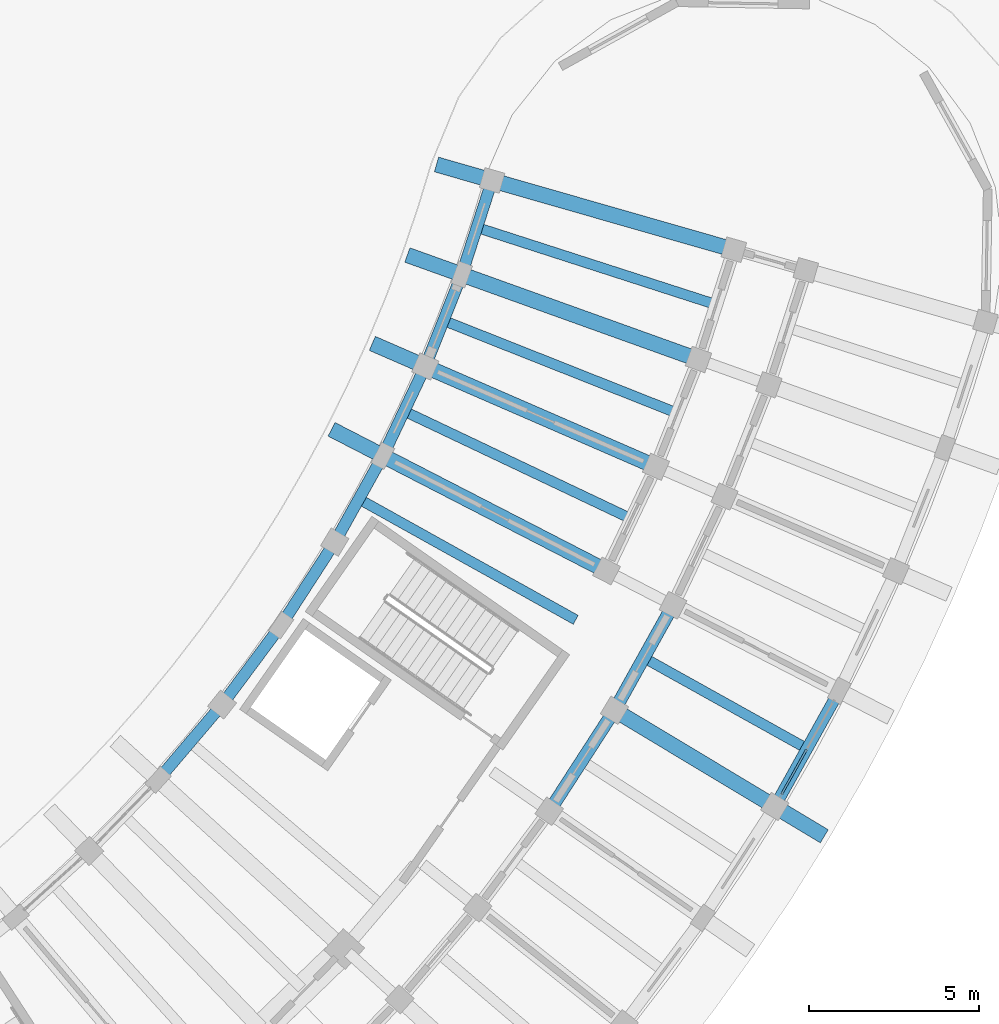
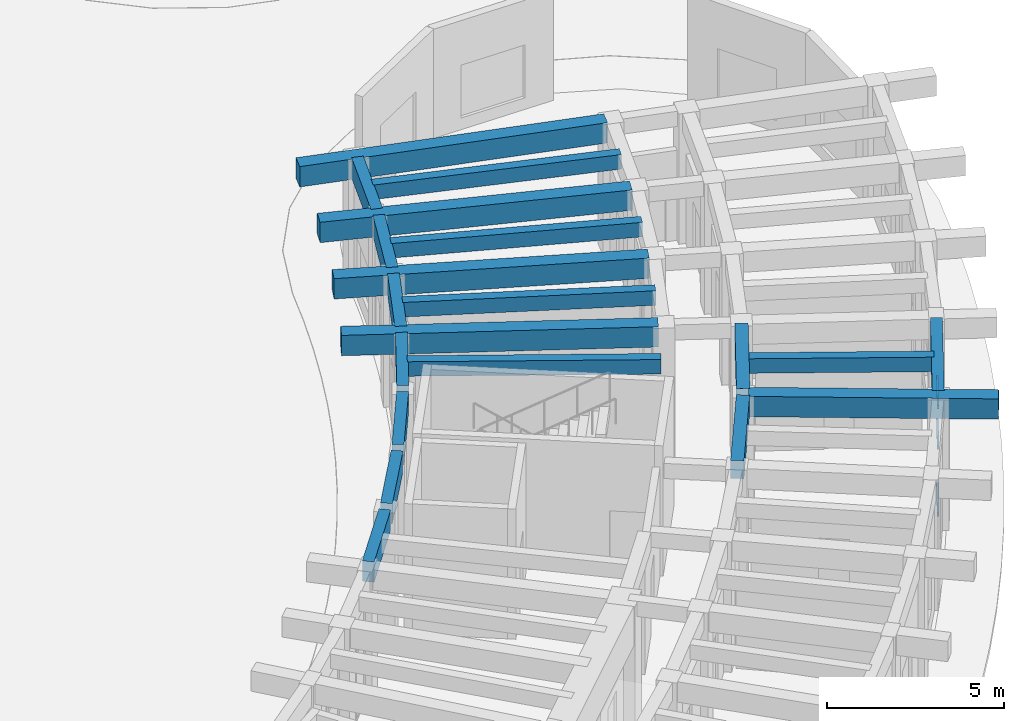
# One storey, part 60 of 132: 20 beams, 3 members, 1 element without a shape of its own.
"""IFC4 building model written with IfcOpenShell, lengths in metres."""

from ifc_helpers import new_model, si_unit, direction, frame, origin, origin_2d, place, context, subcontext, project, spatial, rectangle, hollow_rectangle, extrude, material, material_profile, profile_set, type_object, element, aggregate, save


model = new_model("IFC4")

# Units and contexts
model_context = context("Model", 3, precision=1e-05, world=origin(), true_north=direction((0.0, 1.0)))
body_context = subcontext(model_context, "Body", "Model", "MODEL_VIEW")
ifc_project = project(units=[si_unit("LENGTHUNIT", "METRE"), si_unit("AREAUNIT", "SQUARE_METRE"), si_unit("VOLUMEUNIT", "CUBIC_METRE"), si_unit("PLANEANGLEUNIT", "RADIAN"), si_unit("MASSUNIT", "GRAM", prefix="KILO")], contexts=[model_context])

# Site, building, storey
site_placement = place(None, origin())
site = spatial("IfcSite", under=ifc_project, at=site_placement, CompositionType="ELEMENT")
building_placement = place(site_placement, origin())
building = spatial("IfcBuilding", under=site, at=building_placement, Name="Tanwirah Colonnade Gardens", CompositionType="ELEMENT")
storey_placement = place(building_placement, origin())
storey = spatial("IfcBuildingStorey", under=building, at=storey_placement, Name="L00", CompositionType="ELEMENT", Elevation=0.0)

# Beams
ifc_material_1 = material(Name="Precast concrete C40/50", Category="concrete")
ifc_material_profile_1 = material_profile(ifc_material_1, rectangle(XDim=0.3798828125, YDim=0.6201171875, at=origin_2d()), Name="PC-BM 380x620")
ifc_profile_set_1 = profile_set([ifc_material_profile_1], Name="Precast concrete C40/50")
beam_type_1 = type_object("IfcBeamType", Name="BM-PC380", PredefinedType="BEAM", material=ifc_profile_set_1)
for number, where, z_axis, x_axis, name in (
    (1, (165.491455078125, 33.817626953125, 4.175048828125), (0.542825891173, 0.839845254718, 0.0), (-0.839845254718, 0.542825891173, 0.0), "Block D L00 Circumferential Beam 11-R2"),
    (2, (167.40283203125, 36.793212890625, 4.175048828125), (0.486712025227, 0.873562478875, 0.0), (-0.873562478875, 0.486712025227, 0.0), "Block D L00 Circumferential Beam 12-R2"),
):
    element("IfcBeam", number, at=place(storey_placement, frame(where, z_axis=z_axis, x_axis=x_axis)), inside=storey, type_object=beam_type_1, Name=name, PredefinedType="BEAM", context=body_context, shape_type="SweptSolid", body=[
        extrude(rectangle(XDim=0.3798828125, YDim=0.6201171875, at=origin_2d()), origin(), (0.0, 0.0, 1.0), 3.23681640625),
    ])
ifc_material_2 = material(Name="Precast concrete C45/55", Category="concrete")
ifc_material_profile_2 = material_profile(ifc_material_2, rectangle(XDim=0.449951171875, YDim=0.699951171875, at=origin_2d()), Name="PC-BM 450x700")
ifc_profile_set_2 = profile_set([ifc_material_profile_2], Name="Precast concrete C45/55")
beam_type_2 = type_object("IfcBeamType", Name="BM-PC450", PredefinedType="BEAM", material=ifc_profile_set_2)
beam_1_placement = place(storey_placement, frame((167.45849609375, 36.5849609375, 4.135009765625), z_axis=(0.857159687729, -0.515050744812, 0.0), x_axis=(0.515050744812, 0.857159687729, 0.0)))
element("IfcBeam", 3, at=beam_1_placement, inside=storey, type_object=beam_type_2, Name="Block D L00 Outer Radial Precast Girder 12", PredefinedType="BEAM", context=body_context, shape_type="SweptSolid", body=[
    extrude(rectangle(XDim=0.449951171875, YDim=0.699951171875, at=origin_2d()), origin(), (0.0, 0.0, 1.0), 7.050048828125),
])
for number, where, z_axis, x_axis, name in (
    (4, (166.962158203125, 40.827880859375, 4.135009765625), (-0.889022337846, 0.457863825619, 0.0), (-0.457863825619, -0.889022337846, 0.0), "Block D L00 Inner Radial Precast Girder 13"),
    (5, (168.412109375, 43.884765625, 4.135009765625), (-0.917069622575, 0.398727108872, 0.0), (-0.398727108872, -0.917069622575, 0.0), "Block D L00 Inner Radial Precast Girder 14"),
):
    element("IfcBeam", number, at=place(storey_placement, frame(where, z_axis=z_axis, x_axis=x_axis)), inside=storey, type_object=beam_type_2, Name=name, PredefinedType="BEAM", context=body_context, shape_type="SweptSolid", body=[
        extrude(rectangle(XDim=0.449951171875, YDim=0.699951171875, at=origin_2d()), origin(), (0.0, 0.0, 1.0), 8.949951171875),
    ])
beam_2_placement = place(storey_placement, frame((169.65869140625, 47.02978515625, 4.135009765625), z_axis=(-0.941180212187, 0.337905028356, 0.0), x_axis=(-0.337905028356, -0.941180212187, 0.0)))
element("IfcBeam", 6, at=beam_2_placement, inside=storey, type_object=beam_type_2, Name="Block D L00 Inner Radial Precast Girder 15", PredefinedType="BEAM", context=body_context, shape_type="SweptSolid", body=[
    extrude(rectangle(XDim=0.449951171875, YDim=0.699951171875, at=origin_2d()), origin(), (0.0, 0.0, 1.0), 8.94970703125),
])
beam_3_placement = place(storey_placement, frame((170.697265625, 50.24951171875, 4.135009765625), z_axis=(-0.961258954076, 0.275646917646, 0.0), x_axis=(-0.275646917646, -0.961258954076, 0.0)))
element("IfcBeam", 7, at=beam_3_placement, inside=storey, type_object=beam_type_2, Name="Block D L00 Inner Radial Precast Girder 16", PredefinedType="BEAM", context=body_context, shape_type="SweptSolid", body=[
    extrude(rectangle(XDim=0.449951171875, YDim=0.699951171875, at=origin_2d()), origin(), (0.0, 0.0, 1.0), 8.949951171875),
])

# Curtain wall, members
ifc_material_3 = material(Name="Bronze-anodised aluminium and solar-control low-E glass", Category="aluminium")
curtain_wall_type = type_object("IfcCurtainWallType", Name="CW-LOB", PredefinedType="NOTDEFINED", material=ifc_material_3)
curtain_wall_placement = place(storey_placement, origin())
curtain_wall = element("IfcCurtainWall", 8, at=curtain_wall_placement, inside=storey, type_object=curtain_wall_type, Name="Curtain Wall CW-D-L00-OUT-12", PredefinedType="NOTDEFINED")
ifc_material_4 = material(Name="Bronze-anodised aluminium", Category="aluminium")
ifc_material_profile_3 = material_profile(ifc_material_4, hollow_rectangle(XDim=0.06005859375, YDim=0.1201171875, WallThickness=0.00390625, at=origin_2d()), Name="CW-TRN 60x120x4")
ifc_profile_set_3 = profile_set([ifc_material_profile_3], Name="Bronze-anodised aluminium")
member_type = type_object("IfcMemberType", Name="CWT-60x120", PredefinedType="USERDEFINED", material=ifc_profile_set_3)
member_1_placement = place(storey_placement, frame((172.248779296875, 34.1962890625, 0.030029296875), z_axis=(0.486652425295, 0.87359568277, 0.0), x_axis=(-0.87359568277, 0.486652425295, 0.0)))
member_1 = element("IfcMember", 9, at=member_1_placement, type_object=member_type, Name="CW-LOB transom 1.1", ObjectType="TRANSOM", PredefinedType="USERDEFINED", context=body_context, shape_type="SweptSolid", body=[
    extrude(hollow_rectangle(XDim=0.06005859375, YDim=0.1201171875, WallThickness=0.00390625, at=origin_2d()), origin(), (0.0, 0.0, 1.0), 1.49853515625),
])
member_2_placement = place(storey_placement, frame((172.248779296875, 34.1962890625, 2.328125), z_axis=(0.486652425295, 0.87359568277, 0.0), x_axis=(-0.87359568277, 0.486652425295, 0.0)))
member_2 = element("IfcMember", 10, at=member_2_placement, type_object=member_type, Name="CW-LOB transom 1.2", ObjectType="TRANSOM", PredefinedType="USERDEFINED", context=body_context, shape_type="SweptSolid", body=[
    extrude(hollow_rectangle(XDim=0.06005859375, YDim=0.1201171875, WallThickness=0.00390625, at=origin_2d()), origin(), (0.0, 0.0, 1.0), 1.49853515625),
])
member_3_placement = place(storey_placement, frame((172.248779296875, 34.1962890625, 3.72509765625), z_axis=(0.486652425295, 0.87359568277, 0.0), x_axis=(-0.87359568277, 0.486652425295, 0.0)))
member_3 = element("IfcMember", 11, at=member_3_placement, type_object=member_type, Name="CW-LOB transom 1.3", ObjectType="TRANSOM", PredefinedType="USERDEFINED", context=body_context, shape_type="SweptSolid", body=[
    extrude(hollow_rectangle(XDim=0.06005859375, YDim=0.1201171875, WallThickness=0.00390625, at=origin_2d()), origin(), (0.0, 0.0, 1.0), 1.49853515625),
])
aggregate(curtain_wall, [member_1, member_2, member_3])

# Beams
ifc_material_profile_4 = material_profile(ifc_material_1, rectangle(XDim=0.300048828125, YDim=0.5, at=origin_2d()), Name="PC-JST 300x500")
ifc_profile_set_4 = profile_set([ifc_material_profile_4], Name="Precast concrete C40/50")
beam_type_3 = type_object("IfcBeamType", Name="JST-PC300", PredefinedType="JOIST", material=ifc_profile_set_4)
beam_4_placement = place(storey_placement, frame((168.32080078125, 38.134521484375, 4.235107421875), z_axis=(0.87356769437, -0.486702664214, 0.0), x_axis=(0.486702664214, 0.87356769437, 0.0)))
element("IfcBeam", 12, at=beam_4_placement, inside=storey, type_object=beam_type_3, Name="Block D L00 Precast Floor Joist 12", PredefinedType="JOIST", context=body_context, shape_type="SweptSolid", body=[
    extrude(rectangle(XDim=0.300048828125, YDim=0.5, at=origin_2d()), origin(), (0.0, 0.0, 1.0), 5.260009765625),
])
for number, where, z_axis, x_axis, name in (
    (13, (159.9345703125, 42.80712890625, 4.235107421875), (0.873559899034, -0.486716655561, 0.0), (0.486716655561, 0.873559899034, 0.0), "Block D L00 Inner Precast Floor Joist 12"),
    (14, (161.27001953125, 45.39990234375, 4.235107421875), (0.903522492189, -0.428540670308, 0.0), (0.428540670308, 0.903522492189, 0.0), "Block D L00 Inner Precast Floor Joist 13"),
):
    element("IfcBeam", number, at=place(storey_placement, frame(where, z_axis=z_axis, x_axis=x_axis)), inside=storey, type_object=beam_type_3, Name=name, PredefinedType="JOIST", context=body_context, shape_type="SweptSolid", body=[
        extrude(rectangle(XDim=0.300048828125, YDim=0.5, at=origin_2d()), origin(), (0.0, 0.0, 1.0), 7.159912109375),
    ])
for number, where, z_axis, x_axis, name in (
    (15, (162.432861328125, 48.07470703125, 4.235107421875), (0.929619798141, -0.368520054956, 0.0), (0.368520054956, 0.929619798141, 0.0), "Block D L00 Inner Precast Floor Joist 14"),
    (16, (163.41845703125, 50.819580078125, 4.235107421875), (0.951727255502, -0.30694499692, 0.0), (0.30694499692, 0.951727255502, 0.0), "Block D L00 Inner Precast Floor Joist 15"),
):
    element("IfcBeam", number, at=place(storey_placement, frame(where, z_axis=z_axis, x_axis=x_axis)), inside=storey, type_object=beam_type_3, Name=name, PredefinedType="JOIST", context=body_context, shape_type="SweptSolid", body=[
        extrude(rectangle(XDim=0.300048828125, YDim=0.5, at=origin_2d()), origin(), (0.0, 0.0, 1.0), 7.16015625),
    ])
ifc_material_profile_5 = material_profile(ifc_material_2, rectangle(XDim=0.340087890625, YDim=0.699951171875, at=origin_2d()), Name="PC-SP 340x700")
ifc_profile_set_5 = profile_set([ifc_material_profile_5], Name="Precast concrete C45/55")
beam_type_4 = type_object("IfcBeamType", Name="SP-PC340", PredefinedType="SPANDREL", material=ifc_profile_set_5)
beam_5_placement = place(storey_placement, frame((153.999755859375, 34.7275390625, 4.135009765625), z_axis=(0.647811402053, 0.761800753065, 0.0), x_axis=(-0.761800753065, 0.647811402053, 0.0)))
element("IfcBeam", 17, at=beam_5_placement, inside=storey, type_object=beam_type_4, Name="Block D L00 Circumferential Beam 9-R0", PredefinedType="SPANDREL", context=body_context, shape_type="SweptSolid", body=[
    extrude(rectangle(XDim=0.340087890625, YDim=0.699951171875, at=origin_2d()), origin(), (0.0, 0.0, 1.0), 2.608642578125),
])
beam_6_placement = place(storey_placement, frame((155.87646484375, 36.94970703125, 4.135009765625), z_axis=(0.596565220249, 0.802564600508, 0.0), x_axis=(-0.802564600508, 0.596565220249, 0.0)))
element("IfcBeam", 18, at=beam_6_placement, inside=storey, type_object=beam_type_4, Name="Block D L00 Circumferential Beam 10-R0", PredefinedType="SPANDREL", context=body_context, shape_type="SweptSolid", body=[
    extrude(rectangle(XDim=0.340087890625, YDim=0.699951171875, at=origin_2d()), origin(), (0.0, 0.0, 1.0), 2.6083984375),
])
beam_7_placement = place(storey_placement, frame((157.603515625, 39.28955078125, 4.135009765625), z_axis=(0.542874837406, 0.83981361677, 0.0), x_axis=(-0.83981361677, 0.542874837406, 0.0)))
element("IfcBeam", 19, at=beam_7_placement, inside=storey, type_object=beam_type_4, Name="Block D L00 Circumferential Beam 11-R0", PredefinedType="SPANDREL", context=body_context, shape_type="SweptSolid", body=[
    extrude(rectangle(XDim=0.340087890625, YDim=0.699951171875, at=origin_2d()), origin(), (0.0, 0.0, 1.0), 2.60888671875),
])
beam_8_placement = place(storey_placement, frame((159.174072265625, 41.737548828125, 4.135009765625), z_axis=(0.486747049114, 0.873542964129, 0.0), x_axis=(-0.873542964129, 0.486747049114, 0.0)))
element("IfcBeam", 20, at=beam_8_placement, inside=storey, type_object=beam_type_4, Name="Block D L00 Circumferential Beam 12-R0", PredefinedType="SPANDREL", context=body_context, shape_type="SweptSolid", body=[
    extrude(rectangle(XDim=0.340087890625, YDim=0.699951171875, at=origin_2d()), origin(), (0.0, 0.0, 1.0), 2.608642578125),
])
beam_9_placement = place(storey_placement, frame((172.117431640625, 33.96044921875, 4.135009765625), z_axis=(0.486679958674, 0.87358034423, 0.0), x_axis=(-0.87358034423, 0.486679958674, 0.0)))
element("IfcBeam", 21, at=beam_9_placement, inside=storey, type_object=beam_type_4, Name="Block D L00 Circumferential Beam 12-R3", PredefinedType="SPANDREL", context=body_context, shape_type="SweptSolid", body=[
    extrude(rectangle(XDim=0.340087890625, YDim=0.699951171875, at=origin_2d()), origin(), (0.0, 0.0, 1.0), 3.5966796875),
])
beam_10_placement = place(storey_placement, frame((160.5810546875, 44.282958984375, 4.135009765625), z_axis=(0.428512709915, 0.903535753272, 0.0), x_axis=(-0.903535753272, 0.428512709915, 0.0)))
element("IfcBeam", 22, at=beam_10_placement, inside=storey, type_object=beam_type_4, Name="Block D L00 Circumferential Beam 13-R0", PredefinedType="SPANDREL", context=body_context, shape_type="SweptSolid", body=[
    extrude(rectangle(XDim=0.340087890625, YDim=0.699951171875, at=origin_2d()), origin(), (0.0, 0.0, 1.0), 2.60888671875),
])
beam_11_placement = place(storey_placement, frame((161.818603515625, 46.9150390625, 4.135009765625), z_axis=(0.368549031306, 0.929608310808, 0.0), x_axis=(-0.929608310808, 0.368549031306, 0.0)))
element("IfcBeam", 23, at=beam_11_placement, inside=storey, type_object=beam_type_4, Name="Block D L00 Circumferential Beam 14-R0", PredefinedType="SPANDREL", context=body_context, shape_type="SweptSolid", body=[
    extrude(rectangle(XDim=0.340087890625, YDim=0.699951171875, at=origin_2d()), origin(), (0.0, 0.0, 1.0), 2.608642578125),
])
beam_12_placement = place(storey_placement, frame((162.88134765625, 49.622314453125, 4.135009765625), z_axis=(0.306948094518, 0.951726256479, 0.0), x_axis=(-0.951726256479, 0.306948094518, 0.0)))
element("IfcBeam", 24, at=beam_12_placement, inside=storey, type_object=beam_type_4, Name="Block D L00 Circumferential Beam 15-R0", PredefinedType="SPANDREL", context=body_context, shape_type="SweptSolid", body=[
    extrude(rectangle(XDim=0.340087890625, YDim=0.699951171875, at=origin_2d()), origin(), (0.0, 0.0, 1.0), 2.60888671875),
])

save(model, "model.ifc")
